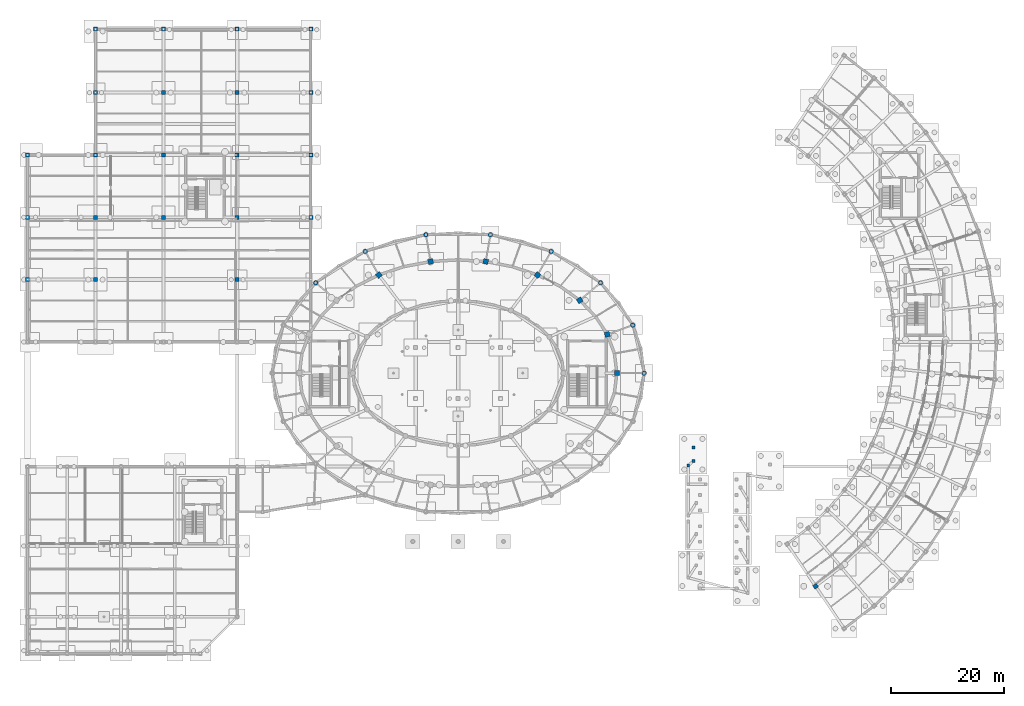
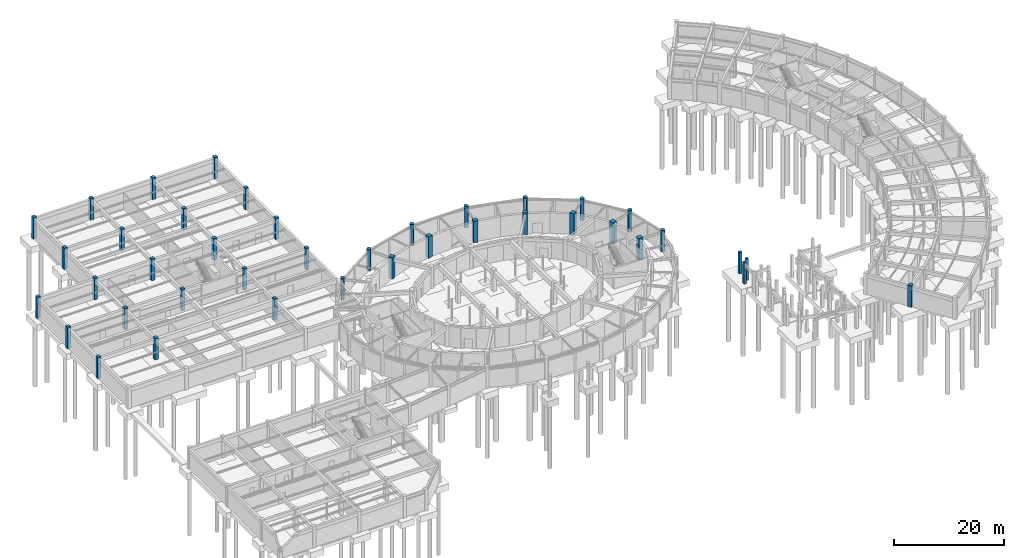
# One storey, part 10 of 42: 40 columns.
"""IFC4 building model written with IfcOpenShell, lengths in metres."""

from ifc_helpers import new_model, si_unit, direction, frame, origin, origin_2d, place, context, subcontext, project, spatial, rectangle, circle, extrude, material, material_profile, profile_set, type_object, element, save


model = new_model("IFC4")

# Units and contexts
model_context = context("Model", 3, precision=1e-05, world=origin(), true_north=direction((0.0, 1.0)))
body_context = subcontext(model_context, "Body", "Model", "MODEL_VIEW")
ifc_project = project(units=[si_unit("LENGTHUNIT", "METRE"), si_unit("AREAUNIT", "SQUARE_METRE"), si_unit("VOLUMEUNIT", "CUBIC_METRE"), si_unit("PLANEANGLEUNIT", "RADIAN"), si_unit("MASSUNIT", "GRAM", prefix="KILO")], contexts=[model_context])

# Site, building, storey
site_placement = place(None, origin())
site = spatial("IfcSite", under=ifc_project, at=site_placement, CompositionType="ELEMENT")
building_placement = place(site_placement, origin())
building = spatial("IfcBuilding", under=site, at=building_placement, Name="Tarnveldt Headland Concert Hall", CompositionType="ELEMENT")
storey_placement = place(building_placement, frame((0.0, 0.0, -4.800048828125)))
storey = spatial("IfcBuildingStorey", under=building, at=storey_placement, Name="B1", CompositionType="ELEMENT", Elevation=-4.800048828125)

# Columns
ifc_material = material(Name="Concrete C40/50", Category="concrete")
ifc_material_profile_1 = material_profile(ifc_material, rectangle(XDim=0.5, YDim=0.5, at=origin_2d()), Name="RC 500x500", Category="concrete")
ifc_profile_set_1 = profile_set([ifc_material_profile_1], Name="Concrete C40/50")
column_type_1 = type_object("IfcColumnType", Name="CC-500", PredefinedType="COLUMN", material=ifc_profile_set_1)
for number, where, z_axis, x_axis, name in (
    (1, (125.0, 39.0, 0.0), (0.0, 0.0, 1.0), (1.0, 0.0, 0.0), "Column BRP01 B1"),
    (2, (125.0, 41.39990234375, 0.0), (0.0, 0.0, 1.0), (1.0, 0.0, 0.0), "Column BRP02 B1"),
    (3, (124.10009765625, 38.199951171875, 0.0), (0.0, 0.0, 1.0), (1.0, 0.0, 0.0), "Column RMPW4N B1"),
):
    element("IfcColumn", number, at=place(storey_placement, frame(where, z_axis=z_axis, x_axis=x_axis)), inside=storey, type_object=column_type_1, Name=name, PredefinedType="COLUMN", context=body_context, shape_type="SweptSolid", body=[
        extrude(rectangle(XDim=0.5, YDim=0.5, at=origin_2d()), origin(), (0.0, 0.0, 1.0), 4.800048828125),
    ])
ifc_material_profile_2 = material_profile(ifc_material, rectangle(XDim=0.699951171875, YDim=0.699951171875, at=origin_2d()), Name="RC 700x700", Category="concrete")
ifc_profile_set_2 = profile_set([ifc_material_profile_2], Name="Concrete C40/50")
column_type_2 = type_object("IfcColumnType", Name="CC-700", PredefinedType="COLUMN", material=ifc_profile_set_2)
for number, where, z_axis, x_axis, name in (
    (4, (7.5, 71.0, 0.0), (0.0, 0.0, 1.0), (1.0, 0.0, 0.0), "Column V5C02 B1"),
    (5, (7.5, 82.0, 0.0), (0.0, 0.0, 1.0), (1.0, 0.0, 0.0), "Column V5C03 B1"),
    (6, (7.5, 93.0, 0.0), (0.0, 0.0, 1.0), (1.0, 0.0, 0.0), "Column V5C04 B1"),
    (7, (19.5, 71.0, 0.0), (0.0, 0.0, 1.0), (1.0, 0.0, 0.0), "Column V5C06 B1"),
    (8, (19.5, 82.0, 0.0), (0.0, 0.0, 1.0), (1.0, 0.0, 0.0), "Column V5C07 B1"),
    (9, (19.5, 93.0, 0.0), (0.0, 0.0, 1.0), (1.0, 0.0, 0.0), "Column V5C08 B1"),
    (10, (19.5, 104.0, 0.0), (0.0, 0.0, 1.0), (1.0, 0.0, 0.0), "Column V5C09 B1"),
    (11, (19.5, 115.199951171875, 0.0), (0.0, 0.0, 1.0), (1.0, 0.0, 0.0), "Column V5C10 B1"),
    (12, (31.5, 82.0, 0.0), (0.0, 0.0, 1.0), (1.0, 0.0, 0.0), "Column V5C12 B1"),
    (13, (31.5, 93.0, 0.0), (0.0, 0.0, 1.0), (1.0, 0.0, 0.0), "Column V5C13 B1"),
    (14, (31.5, 104.0, 0.0), (0.0, 0.0, 1.0), (1.0, 0.0, 0.0), "Column V5C14 B1"),
    (15, (31.5, 115.199951171875, 0.0), (0.0, 0.0, 1.0), (1.0, 0.0, 0.0), "Column V5C15 B1"),
    (16, (44.5, 71.0, 0.0), (0.0, 0.0, 1.0), (1.0, 0.0, 0.0), "Column V5C17 B1"),
    (17, (44.5, 82.0, 0.0), (0.0, 0.0, 1.0), (1.0, 0.0, 0.0), "Column V5C18 B1"),
    (18, (44.5, 93.0, 0.0), (0.0, 0.0, 1.0), (1.0, 0.0, 0.0), "Column V5C19 B1"),
    (19, (44.5, 104.0, 0.0), (0.0, 0.0, 1.0), (1.0, 0.0, 0.0), "Column V5C20 B1"),
    (20, (44.5, 115.199951171875, 0.0), (0.0, 0.0, 1.0), (1.0, 0.0, 0.0), "Column V5C21 B1"),
    (21, (57.5, 82.0, 0.0), (0.0, 0.0, 1.0), (1.0, 0.0, 0.0), "Column V5C22 B1"),
    (22, (57.5, 93.0, 0.0), (0.0, 0.0, 1.0), (1.0, 0.0, 0.0), "Column V5C23 B1"),
    (23, (57.5, 104.0, 0.0), (0.0, 0.0, 1.0), (1.0, 0.0, 0.0), "Column V5C24 B1"),
    (24, (57.5, 115.199951171875, 0.0), (0.0, 0.0, 1.0), (1.0, 0.0, 0.0), "Column V5C25 B1"),
):
    element("IfcColumn", number, at=place(storey_placement, frame(where, z_axis=z_axis, x_axis=x_axis)), inside=storey, type_object=column_type_2, Name=name, PredefinedType="COLUMN", context=body_context, shape_type="SweptSolid", body=[
        extrude(rectangle(XDim=0.699951171875, YDim=0.699951171875, at=origin_2d()), origin(), (0.0, 0.0, 1.0), 4.800048828125),
    ])
ifc_material_profile_3 = material_profile(ifc_material, rectangle(XDim=0.75, YDim=0.75, at=origin_2d()), Name="RC 750x750", Category="concrete")
ifc_profile_set_3 = profile_set([ifc_material_profile_3], Name="Concrete C40/50")
column_type_3 = type_object("IfcColumnType", Name="CC-750", PredefinedType="COLUMN", material=ifc_profile_set_3)
column_placement = place(storey_placement, frame((146.577880859375, 16.889892578125, 0.0), z_axis=(0.0, 0.0, 1.0), x_axis=(0.559192903471, -0.829037572555, 0.0)))
element("IfcColumn", 25, at=column_placement, inside=storey, type_object=column_type_3, Name="Column V3C00MD B1", PredefinedType="COLUMN", context=body_context, shape_type="SweptSolid", body=[
    extrude(rectangle(XDim=0.75, YDim=0.75, at=origin_2d()), origin(), (0.0, 0.0, 1.0), 4.800048828125),
])
ifc_material_profile_4 = material_profile(ifc_material, rectangle(XDim=0.89990234375, YDim=0.89990234375, at=origin_2d()), Name="RC 900x900", Category="concrete")
ifc_profile_set_4 = profile_set([ifc_material_profile_4], Name="Concrete C40/50")
column_type_4 = type_object("IfcColumnType", Name="CC-900", PredefinedType="COLUMN", material=ifc_profile_set_4)
for number, where, z_axis, x_axis, name in (
    (26, (111.5, 54.5, 0.0), (0.0, 0.0, 1.0), (1.0, 0.0, 0.0), "Column V2DC01 B1"),
    (27, (109.811279296875, 61.34033203125, 0.0), (0.0, 0.0, 1.0), (0.967841021032, 0.251562632376, 0.0), "Column V2DC02 B1"),
    (28, (104.94921875, 67.355712890625, 0.0), (0.0, 0.0, 1.0), (0.85770617722, 0.514140169175, 0.0), "Column V2DC03 B1"),
    (29, (97.5, 71.820556640625, 0.0), (0.0, 0.0, 1.0), (0.628641963719, 0.777694851116, 0.0), "Column V2DC04 B1"),
    (30, (88.362060546875, 74.1962890625, 0.0), (0.0, 0.0, 1.0), (0.239719743609, 0.970842131618, 0.0), "Column V2DC05 B1"),
    (31, (78.637939453125, 74.1962890625, 0.0), (0.0, 0.0, 1.0), (-0.239719743609, 0.970842131618, 0.0), "Column V2DC06 B1"),
    (32, (69.5, 71.820556640625, 0.0), (0.0, 0.0, 1.0), (-0.628641963719, 0.777694851116, 0.0), "Column V2DC07 B1"),
):
    element("IfcColumn", number, at=place(storey_placement, frame(where, z_axis=z_axis, x_axis=x_axis)), inside=storey, type_object=column_type_4, Name=name, PredefinedType="COLUMN", context=body_context, shape_type="SweptSolid", body=[
        extrude(rectangle(XDim=0.89990234375, YDim=0.89990234375, at=origin_2d()), origin(), (0.0, 0.0, 1.0), 4.800048828125),
    ])
ifc_material_profile_5 = material_profile(ifc_material, circle(Radius=0.39990234375, at=origin_2d()), Name="RC D800", Category="concrete")
ifc_profile_set_5 = profile_set([ifc_material_profile_5], Name="Concrete C40/50")
column_type_5 = type_object("IfcColumnType", Name="DC-800", PredefinedType="COLUMN", material=ifc_profile_set_5)
for number, where, z_axis, x_axis, name in (
    (33, (116.300048828125, 54.5, 0.0), (0.0, 0.0, 1.0), (1.0, 0.0, 0.0), "Column V1C01 B1"),
    (34, (114.322021484375, 62.982177734375, 0.0), (0.0, 0.0, 1.0), (0.964141737836, 0.265387847052, 0.0), "Column V1C02 B1"),
    (35, (108.626220703125, 70.441162109375, 0.0), (0.0, 0.0, 1.0), (0.84442143206, 0.535679423796, 0.0), "Column V1C03 B1"),
    (36, (99.89990234375, 75.977294921875, 0.0), (0.0, 0.0, 1.0), (0.606959801962, 0.79473253287, 0.0), "Column V1C04 B1"),
    (37, (89.19580078125, 78.923095703125, 0.0), (0.0, 0.0, 1.0), (0.227161248969, 0.973857159427, 0.0), "Column V1C05 B1"),
    (38, (77.80419921875, 78.923095703125, 0.0), (0.0, 0.0, 1.0), (-0.227161248969, 0.973857159427, 0.0), "Column V1C06 B1"),
    (39, (67.10009765625, 75.977294921875, 0.0), (0.0, 0.0, 1.0), (-0.606959801962, 0.79473253287, 0.0), "Column V1C07 B1"),
    (40, (58.373779296875, 70.441162109375, 0.0), (0.0, 0.0, 1.0), (-0.84442143206, 0.535679423796, 0.0), "Column V1C08 B1"),
):
    element("IfcColumn", number, at=place(storey_placement, frame(where, z_axis=z_axis, x_axis=x_axis)), inside=storey, type_object=column_type_5, Name=name, PredefinedType="COLUMN", context=body_context, shape_type="SweptSolid", body=[
        extrude(circle(Radius=0.39990234375, at=origin_2d()), origin(), (0.0, 0.0, 1.0), 4.800048828125),
    ])

save(model, "model.ifc")
